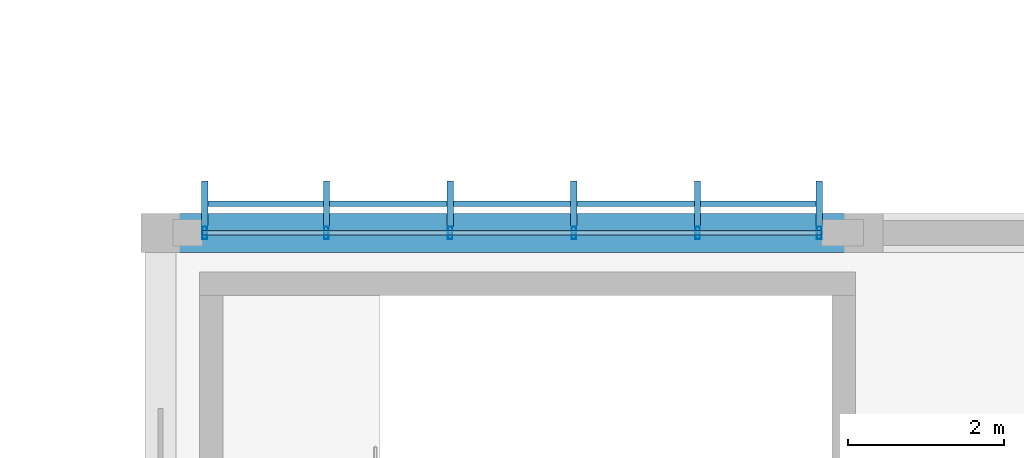
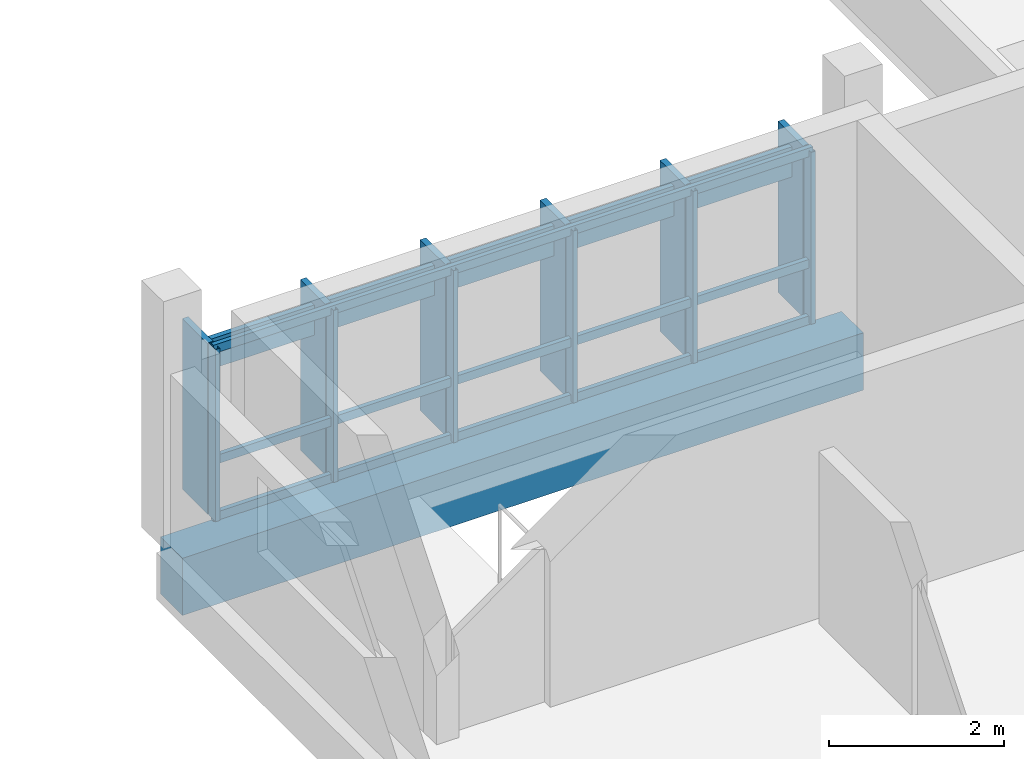
# One storey, part 14 of 24: 16 members, 1 beam, 1 element without a shape of its own.
"""IFC4 building model written with IfcOpenShell, lengths in metres."""

from ifc_helpers import new_model, si_unit, direction, frame, origin, origin_2d, place, context, subcontext, project, spatial, rectangle, hollow_rectangle, extrude, material, material_profile, profile_set, type_object, element, aggregate, save


model = new_model("IFC4")

# Units and contexts
model_context = context("Model", 3, precision=1e-05, world=origin(), true_north=direction((0.0, 1.0)))
body_context = subcontext(model_context, "Body", "Model", "MODEL_VIEW")
ifc_project = project(units=[si_unit("LENGTHUNIT", "METRE"), si_unit("AREAUNIT", "SQUARE_METRE"), si_unit("VOLUMEUNIT", "CUBIC_METRE"), si_unit("PLANEANGLEUNIT", "RADIAN"), si_unit("MASSUNIT", "GRAM", prefix="KILO")], contexts=[model_context])

# Site, building, storey
site_placement = place(None, origin())
site = spatial("IfcSite", under=ifc_project, at=site_placement, CompositionType="ELEMENT")
building_placement = place(site_placement, origin())
building = spatial("IfcBuilding", under=site, at=building_placement, Name="Chiffa Square Polytechnic", CompositionType="ELEMENT")
storey_placement = place(building_placement, frame((0.0, 0.0, 26.39990234375)))
storey = spatial("IfcBuildingStorey", under=building, at=storey_placement, Name="L06", CompositionType="ELEMENT", Elevation=26.39990234375)

# Beam
ifc_material_1 = material(Name="Concrete C40/50", Category="concrete")
ifc_material_profile_1 = material_profile(ifc_material_1, rectangle(XDim=0.5, YDim=0.800048828125, at=origin_2d()), Name="RC 500x800")
ifc_profile_set_1 = profile_set([ifc_material_profile_1], Name="Concrete C40/50")
beam_type = type_object("IfcBeamType", Name="BM-RC-500X800", PredefinedType="BEAM", material=ifc_profile_set_1)
beam_placement = place(storey_placement, frame((148.199951171875, 51.0, -0.619873046875), z_axis=(1.0, 0.0, 0.0), x_axis=(0.0, 1.0, 0.0)))
element("IfcBeam", 1, at=beam_placement, inside=storey, type_object=beam_type, Name="Primary floor girder BM-V1-L06-X-1482-0510", PredefinedType="BEAM", context=body_context, shape_type="SweptSolid", body=[
    extrude(rectangle(XDim=0.5, YDim=0.800048828125, at=origin_2d()), origin(), (0.0, 0.0, 1.0), 9.0),
])

# Curtain wall, members
ifc_material_2 = material(Name="Aluminium EN AW-6060 T66 and glulam shading", Category="wood")
curtain_wall_type = type_object("IfcCurtainWallType", Name="CW-VERT-540X440", PredefinedType="USERDEFINED", material=ifc_material_2)
curtain_wall_placement = place(storey_placement, origin())
curtain_wall = element("IfcCurtainWall", 2, at=curtain_wall_placement, inside=storey, type_object=curtain_wall_type, Name="Curtain wall CW-V1-L06-143", ObjectType="CURTAIN WALL", PredefinedType="USERDEFINED")
ifc_material_3 = material(Name="Aluminium EN AW-6060 T66", Category="aluminium")
ifc_material_profile_2 = material_profile(ifc_material_3, hollow_rectangle(XDim=0.06005859375, YDim=0.159912109375, WallThickness=0.00390625, at=origin_2d()), Name="ALU 60x160x4")
ifc_profile_set_2 = profile_set([ifc_material_profile_2], Name="Aluminium EN AW-6060 T66")
member_type_1 = type_object("IfcMemberType", Name="CWM-ALU-65X150", PredefinedType="MULLION", material=ifc_profile_set_2)
member_1_placement = place(storey_placement, frame((156.635009765625, 51.0, 0.0), z_axis=(0.0, 0.0, 1.0), x_axis=(1.0, 0.0, 0.0)))
member_1 = element("IfcMember", 3, at=member_1_placement, type_object=member_type_1, Name="Curtain wall mullion CW-V1-L06-143-M00", PredefinedType="MULLION", context=body_context, shape_type="SweptSolid", body=[
    extrude(hollow_rectangle(XDim=0.06005859375, YDim=0.159912109375, WallThickness=0.00390625, at=origin_2d()), origin(), (0.0, 0.0, 1.0), 2.405029296875),
])
member_2_placement = place(storey_placement, frame((155.075927734375, 51.0, 0.0), z_axis=(0.0, 0.0, 1.0), x_axis=(1.0, 0.0, 0.0)))
member_2 = element("IfcMember", 4, at=member_2_placement, type_object=member_type_1, Name="Curtain wall mullion CW-V1-L06-143-M01", PredefinedType="MULLION", context=body_context, shape_type="SweptSolid", body=[
    extrude(hollow_rectangle(XDim=0.06005859375, YDim=0.159912109375, WallThickness=0.00390625, at=origin_2d()), origin(), (0.0, 0.0, 1.0), 2.405029296875),
])
member_3_placement = place(storey_placement, frame((153.491943359375, 51.0, 0.0), z_axis=(0.0, 0.0, 1.0), x_axis=(1.0, 0.0, 0.0)))
member_3 = element("IfcMember", 5, at=member_3_placement, type_object=member_type_1, Name="Curtain wall mullion CW-V1-L06-143-M02", PredefinedType="MULLION", context=body_context, shape_type="SweptSolid", body=[
    extrude(hollow_rectangle(XDim=0.06005859375, YDim=0.159912109375, WallThickness=0.00390625, at=origin_2d()), origin(), (0.0, 0.0, 1.0), 2.405029296875),
])
member_4_placement = place(storey_placement, frame((151.907958984375, 51.0, 0.0), z_axis=(0.0, 0.0, 1.0), x_axis=(1.0, 0.0, 0.0)))
member_4 = element("IfcMember", 6, at=member_4_placement, type_object=member_type_1, Name="Curtain wall mullion CW-V1-L06-143-M03", PredefinedType="MULLION", context=body_context, shape_type="SweptSolid", body=[
    extrude(hollow_rectangle(XDim=0.06005859375, YDim=0.159912109375, WallThickness=0.00390625, at=origin_2d()), origin(), (0.0, 0.0, 1.0), 2.405029296875),
])
member_5_placement = place(storey_placement, frame((150.323974609375, 51.0, 0.0), z_axis=(0.0, 0.0, 1.0), x_axis=(1.0, 0.0, 0.0)))
member_5 = element("IfcMember", 7, at=member_5_placement, type_object=member_type_1, Name="Curtain wall mullion CW-V1-L06-143-M04", PredefinedType="MULLION", context=body_context, shape_type="SweptSolid", body=[
    extrude(hollow_rectangle(XDim=0.06005859375, YDim=0.159912109375, WallThickness=0.00390625, at=origin_2d()), origin(), (0.0, 0.0, 1.0), 2.405029296875),
])
member_6_placement = place(storey_placement, frame((148.764892578125, 51.0, 0.0), z_axis=(0.0, 0.0, 1.0), x_axis=(1.0, 0.0, 0.0)))
member_6 = element("IfcMember", 8, at=member_6_placement, type_object=member_type_1, Name="Curtain wall mullion CW-V1-L06-143-M05", PredefinedType="MULLION", context=body_context, shape_type="SweptSolid", body=[
    extrude(hollow_rectangle(XDim=0.06005859375, YDim=0.159912109375, WallThickness=0.00390625, at=origin_2d()), origin(), (0.0, 0.0, 1.0), 2.405029296875),
])
ifc_material_4 = material(Name="Glulam GL28h", Category="wood")
ifc_material_profile_3 = material_profile(ifc_material_4, rectangle(XDim=0.080078125, YDim=0.580078125, at=origin_2d()), Name="GL28h 80x580")
ifc_profile_set_3 = profile_set([ifc_material_profile_3], Name="Glulam GL28h")
member_type_2 = type_object("IfcMemberType", Name="CWM-GL-80X580", PredefinedType="MULLION", material=ifc_profile_set_3)
member_7_placement = place(storey_placement, frame((156.635009765625, 51.3720703125, 0.010009765625), z_axis=(0.0, 0.0, 1.0), x_axis=(-1.0, 0.0, 0.0)))
member_7 = element("IfcMember", 9, at=member_7_placement, type_object=member_type_2, Name="Exterior glulam solar fin CW-V1-L06-143-FN00", PredefinedType="MULLION", context=body_context, shape_type="SweptSolid", body=[
    extrude(rectangle(XDim=0.080078125, YDim=0.580078125, at=origin_2d()), origin(), (0.0, 0.0, 1.0), 2.385009765625),
])
member_8_placement = place(storey_placement, frame((155.075927734375, 51.3720703125, 0.010009765625), z_axis=(0.0, 0.0, 1.0), x_axis=(-1.0, 0.0, 0.0)))
member_8 = element("IfcMember", 10, at=member_8_placement, type_object=member_type_2, Name="Exterior glulam solar fin CW-V1-L06-143-FN01", PredefinedType="MULLION", context=body_context, shape_type="SweptSolid", body=[
    extrude(rectangle(XDim=0.080078125, YDim=0.580078125, at=origin_2d()), origin(), (0.0, 0.0, 1.0), 2.385009765625),
])
member_9_placement = place(storey_placement, frame((153.491943359375, 51.3720703125, 0.010009765625), z_axis=(0.0, 0.0, 1.0), x_axis=(-1.0, 0.0, 0.0)))
member_9 = element("IfcMember", 11, at=member_9_placement, type_object=member_type_2, Name="Exterior glulam solar fin CW-V1-L06-143-FN02", PredefinedType="MULLION", context=body_context, shape_type="SweptSolid", body=[
    extrude(rectangle(XDim=0.080078125, YDim=0.580078125, at=origin_2d()), origin(), (0.0, 0.0, 1.0), 2.385009765625),
])
member_10_placement = place(storey_placement, frame((151.907958984375, 51.3720703125, 0.010009765625), z_axis=(0.0, 0.0, 1.0), x_axis=(-1.0, 0.0, 0.0)))
member_10 = element("IfcMember", 12, at=member_10_placement, type_object=member_type_2, Name="Exterior glulam solar fin CW-V1-L06-143-FN03", PredefinedType="MULLION", context=body_context, shape_type="SweptSolid", body=[
    extrude(rectangle(XDim=0.080078125, YDim=0.580078125, at=origin_2d()), origin(), (0.0, 0.0, 1.0), 2.385009765625),
])
member_11_placement = place(storey_placement, frame((150.323974609375, 51.3720703125, 0.010009765625), z_axis=(0.0, 0.0, 1.0), x_axis=(-1.0, 0.0, 0.0)))
member_11 = element("IfcMember", 13, at=member_11_placement, type_object=member_type_2, Name="Exterior glulam solar fin CW-V1-L06-143-FN04", PredefinedType="MULLION", context=body_context, shape_type="SweptSolid", body=[
    extrude(rectangle(XDim=0.080078125, YDim=0.580078125, at=origin_2d()), origin(), (0.0, 0.0, 1.0), 2.385009765625),
])
member_12_placement = place(storey_placement, frame((148.764892578125, 51.3720703125, 0.010009765625), z_axis=(0.0, 0.0, 1.0), x_axis=(-1.0, 0.0, 0.0)))
member_12 = element("IfcMember", 14, at=member_12_placement, type_object=member_type_2, Name="Exterior glulam solar fin CW-V1-L06-143-FN05", PredefinedType="MULLION", context=body_context, shape_type="SweptSolid", body=[
    extrude(rectangle(XDim=0.080078125, YDim=0.580078125, at=origin_2d()), origin(), (0.0, 0.0, 1.0), 2.385009765625),
])
ifc_material_profile_4 = material_profile(ifc_material_3, hollow_rectangle(XDim=0.06005859375, YDim=0.1201171875, WallThickness=0.00390625, at=origin_2d()), Name="ALU 60x120x4")
ifc_profile_set_4 = profile_set([ifc_material_profile_4], Name="Aluminium EN AW-6060 T66")
member_type_3 = type_object("IfcMemberType", Name="CWT-ALU-65X120", PredefinedType="USERDEFINED", material=ifc_profile_set_4)
member_13_placement = place(storey_placement, frame((156.662109375, 51.0, 0.030029296875), z_axis=(-1.0, 0.0, 0.0), x_axis=(0.0, -1.0, 0.0)))
member_13 = element("IfcMember", 15, at=member_13_placement, type_object=member_type_3, Name="Curtain wall transom CW-V1-L06-143-T01", ObjectType="TRANSOM", PredefinedType="USERDEFINED", context=body_context, shape_type="SweptSolid", body=[
    extrude(hollow_rectangle(XDim=0.06005859375, YDim=0.1201171875, WallThickness=0.00390625, at=origin_2d()), origin(), (0.0, 0.0, 1.0), 7.924072265625),
])
member_14_placement = place(storey_placement, frame((156.662109375, 51.0, 0.820068359375), z_axis=(-1.0, 0.0, 0.0), x_axis=(0.0, -1.0, 0.0)))
member_14 = element("IfcMember", 16, at=member_14_placement, type_object=member_type_3, Name="Curtain wall transom CW-V1-L06-143-T02", ObjectType="TRANSOM", PredefinedType="USERDEFINED", context=body_context, shape_type="SweptSolid", body=[
    extrude(hollow_rectangle(XDim=0.06005859375, YDim=0.1201171875, WallThickness=0.00390625, at=origin_2d()), origin(), (0.0, 0.0, 1.0), 7.924072265625),
])
member_15_placement = place(storey_placement, frame((156.662109375, 51.0, 2.375), z_axis=(-1.0, 0.0, 0.0), x_axis=(0.0, -1.0, 0.0)))
member_15 = element("IfcMember", 17, at=member_15_placement, type_object=member_type_3, Name="Curtain wall transom CW-V1-L06-143-T03", ObjectType="TRANSOM", PredefinedType="USERDEFINED", context=body_context, shape_type="SweptSolid", body=[
    extrude(hollow_rectangle(XDim=0.06005859375, YDim=0.1201171875, WallThickness=0.00390625, at=origin_2d()), origin(), (0.0, 0.0, 1.0), 7.924072265625),
])
ifc_material_profile_5 = material_profile(ifc_material_4, rectangle(XDim=0.070068359375, YDim=0.419921875, at=origin_2d()), Name="GL28h 70x420")
ifc_profile_set_5 = profile_set([ifc_material_profile_5], Name="Glulam GL28h")
member_type_4 = type_object("IfcMemberType", Name="CWT-GL-70X420", PredefinedType="USERDEFINED", material=ifc_profile_set_5)
member_16_placement = place(storey_placement, frame((156.635009765625, 51.3720703125, 2.025146484375), z_axis=(-1.0, 0.0, 0.0), x_axis=(0.0, -1.0, 0.0)))
member_16 = element("IfcMember", 18, at=member_16_placement, type_object=member_type_4, Name="Exterior glulam brise-soleil CW-V1-L06-143-BS01", ObjectType="TRANSOM", PredefinedType="USERDEFINED", context=body_context, shape_type="SweptSolid", body=[
    extrude(rectangle(XDim=0.070068359375, YDim=0.419921875, at=origin_2d()), origin(), (0.0, 0.0, 1.0), 7.8701171875),
])
aggregate(curtain_wall, [member_1, member_7, member_2, member_8, member_3, member_9, member_4, member_10, member_5, member_11, member_6, member_12, member_13, member_14, member_15, member_16])

save(model, "model.ifc")
